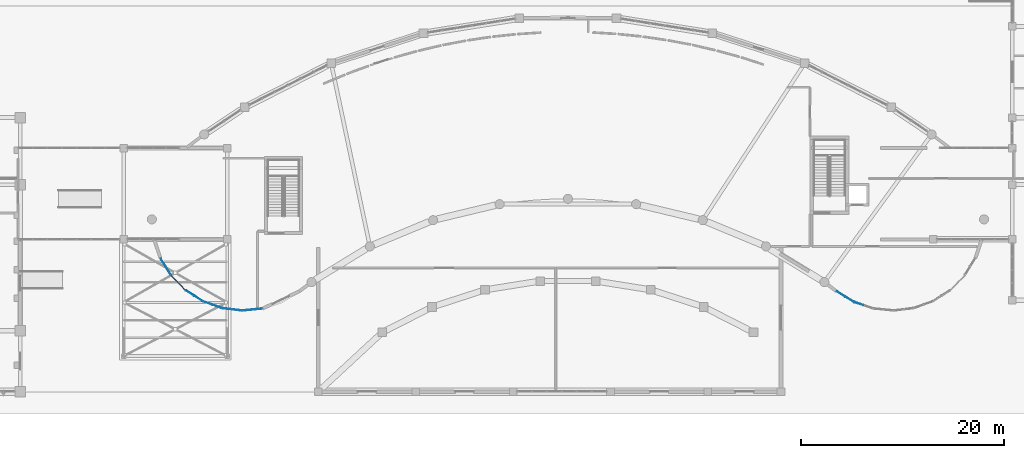
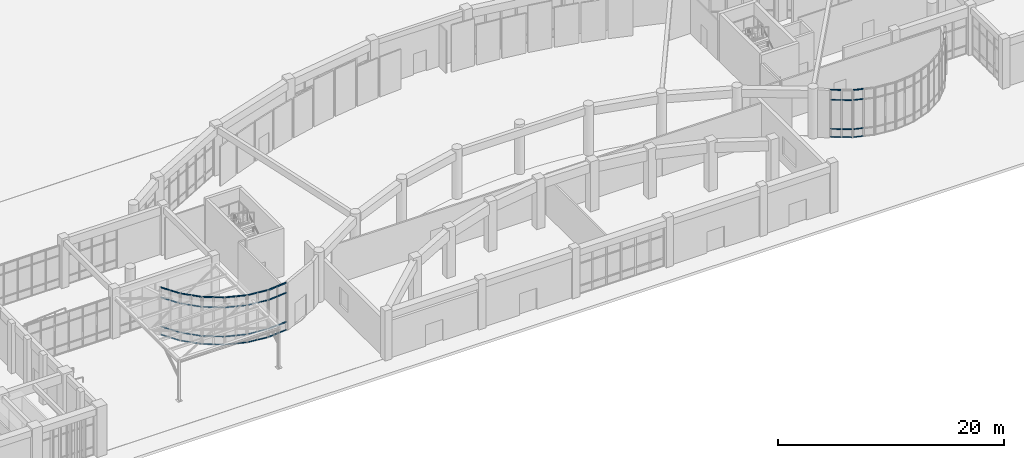
# One storey, part 34 of 70: 59 members, 8 elements without a shape of their own.
"""IFC4 building model written with IfcOpenShell, lengths in metres."""

from ifc_helpers import new_model, si_unit, direction, frame, origin, origin_2d, place, context, subcontext, project, spatial, rectangle, extrude, material, layer, layer_set, material_profile, profile_set, type_object, element, aggregate, save


model = new_model("IFC4")

# Units and contexts
model_context = context("Model", 3, precision=1e-05, world=origin(), true_north=direction((0.0, 1.0)))
body_context = subcontext(model_context, "Body", "Model", "MODEL_VIEW")
ifc_project = project(units=[si_unit("LENGTHUNIT", "METRE"), si_unit("AREAUNIT", "SQUARE_METRE"), si_unit("VOLUMEUNIT", "CUBIC_METRE"), si_unit("PLANEANGLEUNIT", "RADIAN"), si_unit("MASSUNIT", "GRAM", prefix="KILO")], contexts=[model_context])

# Site, building, storey
site_placement = place(None, origin())
site = spatial("IfcSite", under=ifc_project, at=site_placement, CompositionType="ELEMENT")
building_placement = place(site_placement, origin())
building = spatial("IfcBuilding", under=site, at=building_placement, Name="Miralva Faculty of Natural Sciences", CompositionType="ELEMENT")
storey_placement = place(building_placement, origin())
storey = spatial("IfcBuildingStorey", under=building, at=storey_placement, Name="L00", CompositionType="ELEMENT", Elevation=0.0)

# Curtain wall, members
ifc_material_1 = material(Name="Laminated solar-control glass", Category="glass")
ifc_layer = layer(ifc_material_1, 0.179931640625, Name="CW-RND-L00")
ifc_layer_set = layer_set([ifc_layer], Name="Laminated solar-control glass")
curtain_wall_type = type_object("IfcCurtainWallType", Name="CW-RND-L00", PredefinedType="USERDEFINED", material=ifc_layer_set)
curtain_wall_1_placement = place(storey_placement, origin())
curtain_wall_1 = element("IfcCurtainWall", 1, at=curtain_wall_1_placement, inside=storey, type_object=curtain_wall_type, Name="Curtain wall CW-04 L00-15", ObjectType="UNITISED CURTAIN WALL", PredefinedType="USERDEFINED")
ifc_material_2 = material(Name="Anodised aluminium", Category="aluminium")
ifc_material_profile = material_profile(ifc_material_2, rectangle(XDim=0.06005859375, YDim=0.1201171875, at=origin_2d()), Name="TRANSOM 60x120")
ifc_profile_set = profile_set([ifc_material_profile], Name="Anodised aluminium")
member_type = type_object("IfcMemberType", Name="CW-T02", PredefinedType="USERDEFINED", material=ifc_profile_set)
member_1_placement = place(storey_placement, frame((57.96044921875, 10.983642578125, 0.030029296875), z_axis=(0.994766112877, 0.102178180995, 0.0), x_axis=(-0.102178180995, 0.994766112877, 0.0)))
member_1 = element("IfcMember", 2, at=member_1_placement, type_object=member_type, Name="CW-04 transom 1.1", ObjectType="TRANSOM", PredefinedType="USERDEFINED", context=body_context, shape_type="SweptSolid", body=[
    extrude(rectangle(XDim=0.06005859375, YDim=0.1201171875, at=origin_2d()), origin(), (0.0, 0.0, 1.0), 0.912841796875),
])
member_2_placement = place(storey_placement, frame((57.96044921875, 10.983642578125, 0.89990234375), z_axis=(0.994766112877, 0.102178180995, 0.0), x_axis=(-0.102178180995, 0.994766112877, 0.0)))
member_2 = element("IfcMember", 3, at=member_2_placement, type_object=member_type, Name="CW-04 transom 1.2", ObjectType="TRANSOM", PredefinedType="USERDEFINED", context=body_context, shape_type="SweptSolid", body=[
    extrude(rectangle(XDim=0.06005859375, YDim=0.1201171875, at=origin_2d()), origin(), (0.0, 0.0, 1.0), 0.912841796875),
])
member_3_placement = place(storey_placement, frame((57.96044921875, 10.983642578125, 4.050048828125), z_axis=(0.994766112877, 0.102178180995, 0.0), x_axis=(-0.102178180995, 0.994766112877, 0.0)))
member_3 = element("IfcMember", 4, at=member_3_placement, type_object=member_type, Name="CW-04 transom 1.3", ObjectType="TRANSOM", PredefinedType="USERDEFINED", context=body_context, shape_type="SweptSolid", body=[
    extrude(rectangle(XDim=0.06005859375, YDim=0.1201171875, at=origin_2d()), origin(), (0.0, 0.0, 1.0), 0.912841796875),
])
member_4_placement = place(storey_placement, frame((57.96044921875, 10.983642578125, 5.1201171875), z_axis=(0.994766112877, 0.102178180995, 0.0), x_axis=(-0.102178180995, 0.994766112877, 0.0)))
member_4 = element("IfcMember", 5, at=member_4_placement, type_object=member_type, Name="CW-04 transom 1.4", ObjectType="TRANSOM", PredefinedType="USERDEFINED", context=body_context, shape_type="SweptSolid", body=[
    extrude(rectangle(XDim=0.06005859375, YDim=0.1201171875, at=origin_2d()), origin(), (0.0, 0.0, 1.0), 0.912841796875),
])
member_5_placement = place(storey_placement, frame((58.93310546875, 11.08349609375, 0.030029296875), z_axis=(0.994793266196, 0.101913480619, 0.0), x_axis=(-0.101913480619, 0.994793266196, 0.0)))
member_5 = element("IfcMember", 6, at=member_5_placement, type_object=member_type, Name="CW-04 transom 2.1", ObjectType="TRANSOM", PredefinedType="USERDEFINED", context=body_context, shape_type="SweptSolid", body=[
    extrude(rectangle(XDim=0.06005859375, YDim=0.1201171875, at=origin_2d()), origin(), (0.0, 0.0, 1.0), 0.91259765625),
])
member_6_placement = place(storey_placement, frame((58.93310546875, 11.08349609375, 0.89990234375), z_axis=(0.994793266196, 0.101913480619, 0.0), x_axis=(-0.101913480619, 0.994793266196, 0.0)))
member_6 = element("IfcMember", 7, at=member_6_placement, type_object=member_type, Name="CW-04 transom 2.2", ObjectType="TRANSOM", PredefinedType="USERDEFINED", context=body_context, shape_type="SweptSolid", body=[
    extrude(rectangle(XDim=0.06005859375, YDim=0.1201171875, at=origin_2d()), origin(), (0.0, 0.0, 1.0), 0.91259765625),
])
member_7_placement = place(storey_placement, frame((58.93310546875, 11.08349609375, 4.050048828125), z_axis=(0.994793266196, 0.101913480619, 0.0), x_axis=(-0.101913480619, 0.994793266196, 0.0)))
member_7 = element("IfcMember", 8, at=member_7_placement, type_object=member_type, Name="CW-04 transom 2.3", ObjectType="TRANSOM", PredefinedType="USERDEFINED", context=body_context, shape_type="SweptSolid", body=[
    extrude(rectangle(XDim=0.06005859375, YDim=0.1201171875, at=origin_2d()), origin(), (0.0, 0.0, 1.0), 0.91259765625),
])
member_8_placement = place(storey_placement, frame((58.93310546875, 11.08349609375, 5.1201171875), z_axis=(0.994793266196, 0.101913480619, 0.0), x_axis=(-0.101913480619, 0.994793266196, 0.0)))
member_8 = element("IfcMember", 9, at=member_8_placement, type_object=member_type, Name="CW-04 transom 2.4", ObjectType="TRANSOM", PredefinedType="USERDEFINED", context=body_context, shape_type="SweptSolid", body=[
    extrude(rectangle(XDim=0.06005859375, YDim=0.1201171875, at=origin_2d()), origin(), (0.0, 0.0, 1.0), 0.91259765625),
])
aggregate(curtain_wall_1, [member_1, member_2, member_3, member_4, member_5, member_6, member_7, member_8])

curtain_wall_2_placement = place(storey_placement, origin())
curtain_wall_2 = element("IfcCurtainWall", 10, at=curtain_wall_2_placement, inside=storey, type_object=curtain_wall_type, Name="Curtain wall CW-04 L00-16", ObjectType="UNITISED CURTAIN WALL", PredefinedType="USERDEFINED")
member_9_placement = place(storey_placement, frame((55.9599609375, 11.214599609375, 0.030029296875), z_axis=(0.99256727955, -0.121697146913, 0.0), x_axis=(0.121697146913, 0.99256727955, 0.0)))
member_9 = element("IfcMember", 11, at=member_9_placement, type_object=member_type, Name="CW-04 transom 1.1", ObjectType="TRANSOM", PredefinedType="USERDEFINED", context=body_context, shape_type="SweptSolid", body=[
    extrude(rectangle(XDim=0.06005859375, YDim=0.1201171875, at=origin_2d()), origin(), (0.0, 0.0, 1.0), 0.912841796875),
])
member_10_placement = place(storey_placement, frame((55.9599609375, 11.214599609375, 0.89990234375), z_axis=(0.99256727955, -0.121697146913, 0.0), x_axis=(0.121697146913, 0.99256727955, 0.0)))
member_10 = element("IfcMember", 12, at=member_10_placement, type_object=member_type, Name="CW-04 transom 1.2", ObjectType="TRANSOM", PredefinedType="USERDEFINED", context=body_context, shape_type="SweptSolid", body=[
    extrude(rectangle(XDim=0.06005859375, YDim=0.1201171875, at=origin_2d()), origin(), (0.0, 0.0, 1.0), 0.912841796875),
])
member_11_placement = place(storey_placement, frame((55.9599609375, 11.214599609375, 4.050048828125), z_axis=(0.99256727955, -0.121697146913, 0.0), x_axis=(0.121697146913, 0.99256727955, 0.0)))
member_11 = element("IfcMember", 13, at=member_11_placement, type_object=member_type, Name="CW-04 transom 1.3", ObjectType="TRANSOM", PredefinedType="USERDEFINED", context=body_context, shape_type="SweptSolid", body=[
    extrude(rectangle(XDim=0.06005859375, YDim=0.1201171875, at=origin_2d()), origin(), (0.0, 0.0, 1.0), 0.912841796875),
])
member_12_placement = place(storey_placement, frame((55.9599609375, 11.214599609375, 5.1201171875), z_axis=(0.99256727955, -0.121697146913, 0.0), x_axis=(0.121697146913, 0.99256727955, 0.0)))
member_12 = element("IfcMember", 14, at=member_12_placement, type_object=member_type, Name="CW-04 transom 1.4", ObjectType="TRANSOM", PredefinedType="USERDEFINED", context=body_context, shape_type="SweptSolid", body=[
    extrude(rectangle(XDim=0.06005859375, YDim=0.1201171875, at=origin_2d()), origin(), (0.0, 0.0, 1.0), 0.912841796875),
])
member_13_placement = place(storey_placement, frame((56.930419921875, 11.095458984375, 0.030029296875), z_axis=(0.992563316744, -0.121729463374, 0.0), x_axis=(0.121729463374, 0.992563316744, 0.0)))
member_13 = element("IfcMember", 15, at=member_13_placement, type_object=member_type, Name="CW-04 transom 2.1", ObjectType="TRANSOM", PredefinedType="USERDEFINED", context=body_context, shape_type="SweptSolid", body=[
    extrude(rectangle(XDim=0.06005859375, YDim=0.1201171875, at=origin_2d()), origin(), (0.0, 0.0, 1.0), 0.91259765625),
])
member_14_placement = place(storey_placement, frame((56.930419921875, 11.095458984375, 0.89990234375), z_axis=(0.992563316744, -0.121729463374, 0.0), x_axis=(0.121729463374, 0.992563316744, 0.0)))
member_14 = element("IfcMember", 16, at=member_14_placement, type_object=member_type, Name="CW-04 transom 2.2", ObjectType="TRANSOM", PredefinedType="USERDEFINED", context=body_context, shape_type="SweptSolid", body=[
    extrude(rectangle(XDim=0.06005859375, YDim=0.1201171875, at=origin_2d()), origin(), (0.0, 0.0, 1.0), 0.91259765625),
])
member_15_placement = place(storey_placement, frame((56.930419921875, 11.095458984375, 4.050048828125), z_axis=(0.992563316744, -0.121729463374, 0.0), x_axis=(0.121729463374, 0.992563316744, 0.0)))
member_15 = element("IfcMember", 17, at=member_15_placement, type_object=member_type, Name="CW-04 transom 2.3", ObjectType="TRANSOM", PredefinedType="USERDEFINED", context=body_context, shape_type="SweptSolid", body=[
    extrude(rectangle(XDim=0.06005859375, YDim=0.1201171875, at=origin_2d()), origin(), (0.0, 0.0, 1.0), 0.91259765625),
])
member_16_placement = place(storey_placement, frame((56.930419921875, 11.095458984375, 5.1201171875), z_axis=(0.992563316744, -0.121729463374, 0.0), x_axis=(0.121729463374, 0.992563316744, 0.0)))
member_16 = element("IfcMember", 18, at=member_16_placement, type_object=member_type, Name="CW-04 transom 2.4", ObjectType="TRANSOM", PredefinedType="USERDEFINED", context=body_context, shape_type="SweptSolid", body=[
    extrude(rectangle(XDim=0.06005859375, YDim=0.1201171875, at=origin_2d()), origin(), (0.0, 0.0, 1.0), 0.91259765625),
])
aggregate(curtain_wall_2, [member_9, member_10, member_11, member_12, member_13, member_14, member_15, member_16])

curtain_wall_3_placement = place(storey_placement, origin())
curtain_wall_3 = element("IfcCurtainWall", 19, at=curtain_wall_3_placement, inside=storey, type_object=curtain_wall_type, Name="Curtain wall CW-04 L00-17", ObjectType="UNITISED CURTAIN WALL", PredefinedType="USERDEFINED")
member_17_placement = place(storey_placement, frame((54.06103515625, 11.885009765625, 0.030029296875), z_axis=(0.94061086064, -0.339486684344, 0.0), x_axis=(0.339486684344, 0.94061086064, 0.0)))
member_17 = element("IfcMember", 20, at=member_17_placement, type_object=member_type, Name="CW-04 transom 1.1", ObjectType="TRANSOM", PredefinedType="USERDEFINED", context=body_context, shape_type="SweptSolid", body=[
    extrude(rectangle(XDim=0.06005859375, YDim=0.1201171875, at=origin_2d()), origin(), (0.0, 0.0, 1.0), 0.91259765625),
])
member_18_placement = place(storey_placement, frame((54.06103515625, 11.885009765625, 0.89990234375), z_axis=(0.94061086064, -0.339486684344, 0.0), x_axis=(0.339486684344, 0.94061086064, 0.0)))
member_18 = element("IfcMember", 21, at=member_18_placement, type_object=member_type, Name="CW-04 transom 1.2", ObjectType="TRANSOM", PredefinedType="USERDEFINED", context=body_context, shape_type="SweptSolid", body=[
    extrude(rectangle(XDim=0.06005859375, YDim=0.1201171875, at=origin_2d()), origin(), (0.0, 0.0, 1.0), 0.91259765625),
])
member_19_placement = place(storey_placement, frame((54.06103515625, 11.885009765625, 4.050048828125), z_axis=(0.94061086064, -0.339486684344, 0.0), x_axis=(0.339486684344, 0.94061086064, 0.0)))
member_19 = element("IfcMember", 22, at=member_19_placement, type_object=member_type, Name="CW-04 transom 1.3", ObjectType="TRANSOM", PredefinedType="USERDEFINED", context=body_context, shape_type="SweptSolid", body=[
    extrude(rectangle(XDim=0.06005859375, YDim=0.1201171875, at=origin_2d()), origin(), (0.0, 0.0, 1.0), 0.91259765625),
])
member_20_placement = place(storey_placement, frame((54.06103515625, 11.885009765625, 5.1201171875), z_axis=(0.94061086064, -0.339486684344, 0.0), x_axis=(0.339486684344, 0.94061086064, 0.0)))
member_20 = element("IfcMember", 23, at=member_20_placement, type_object=member_type, Name="CW-04 transom 1.4", ObjectType="TRANSOM", PredefinedType="USERDEFINED", context=body_context, shape_type="SweptSolid", body=[
    extrude(rectangle(XDim=0.06005859375, YDim=0.1201171875, at=origin_2d()), origin(), (0.0, 0.0, 1.0), 0.91259765625),
])
member_21_placement = place(storey_placement, frame((54.980712890625, 11.552978515625, 0.030029296875), z_axis=(0.940525411881, -0.339723342744, 0.0), x_axis=(0.339723342744, 0.940525411881, 0.0)))
member_21 = element("IfcMember", 24, at=member_21_placement, type_object=member_type, Name="CW-04 transom 2.1", ObjectType="TRANSOM", PredefinedType="USERDEFINED", context=body_context, shape_type="SweptSolid", body=[
    extrude(rectangle(XDim=0.06005859375, YDim=0.1201171875, at=origin_2d()), origin(), (0.0, 0.0, 1.0), 0.91259765625),
])
member_22_placement = place(storey_placement, frame((54.980712890625, 11.552978515625, 0.89990234375), z_axis=(0.940525411881, -0.339723342744, 0.0), x_axis=(0.339723342744, 0.940525411881, 0.0)))
member_22 = element("IfcMember", 25, at=member_22_placement, type_object=member_type, Name="CW-04 transom 2.2", ObjectType="TRANSOM", PredefinedType="USERDEFINED", context=body_context, shape_type="SweptSolid", body=[
    extrude(rectangle(XDim=0.06005859375, YDim=0.1201171875, at=origin_2d()), origin(), (0.0, 0.0, 1.0), 0.91259765625),
])
member_23_placement = place(storey_placement, frame((54.980712890625, 11.552978515625, 4.050048828125), z_axis=(0.940525411881, -0.339723342744, 0.0), x_axis=(0.339723342744, 0.940525411881, 0.0)))
member_23 = element("IfcMember", 26, at=member_23_placement, type_object=member_type, Name="CW-04 transom 2.3", ObjectType="TRANSOM", PredefinedType="USERDEFINED", context=body_context, shape_type="SweptSolid", body=[
    extrude(rectangle(XDim=0.06005859375, YDim=0.1201171875, at=origin_2d()), origin(), (0.0, 0.0, 1.0), 0.91259765625),
])
member_24_placement = place(storey_placement, frame((54.980712890625, 11.552978515625, 5.1201171875), z_axis=(0.940525411881, -0.339723342744, 0.0), x_axis=(0.339723342744, 0.940525411881, 0.0)))
member_24 = element("IfcMember", 27, at=member_24_placement, type_object=member_type, Name="CW-04 transom 2.4", ObjectType="TRANSOM", PredefinedType="USERDEFINED", context=body_context, shape_type="SweptSolid", body=[
    extrude(rectangle(XDim=0.06005859375, YDim=0.1201171875, at=origin_2d()), origin(), (0.0, 0.0, 1.0), 0.91259765625),
])
aggregate(curtain_wall_3, [member_17, member_18, member_19, member_20, member_21, member_22, member_23, member_24])

curtain_wall_4_placement = place(storey_placement, origin())
curtain_wall_4 = element("IfcCurtainWall", 28, at=curtain_wall_4_placement, inside=storey, type_object=curtain_wall_type, Name="Curtain wall CW-04 L00-18", ObjectType="UNITISED CURTAIN WALL", PredefinedType="USERDEFINED")
member_25_placement = place(storey_placement, frame((52.35888671875, 12.961181640625, 0.030029296875), z_axis=(0.841473826714, -0.540297879836, 0.0), x_axis=(0.540297879836, 0.841473826714, 0.0)))
member_25 = element("IfcMember", 29, at=member_25_placement, type_object=member_type, Name="CW-04 transom 1.1", ObjectType="TRANSOM", PredefinedType="USERDEFINED", context=body_context, shape_type="SweptSolid", body=[
    extrude(rectangle(XDim=0.06005859375, YDim=0.1201171875, at=origin_2d()), origin(), (0.0, 0.0, 1.0), 0.912841796875),
])
member_26_placement = place(storey_placement, frame((52.35888671875, 12.961181640625, 0.89990234375), z_axis=(0.841473826714, -0.540297879836, 0.0), x_axis=(0.540297879836, 0.841473826714, 0.0)))
member_26 = element("IfcMember", 30, at=member_26_placement, type_object=member_type, Name="CW-04 transom 1.2", ObjectType="TRANSOM", PredefinedType="USERDEFINED", context=body_context, shape_type="SweptSolid", body=[
    extrude(rectangle(XDim=0.06005859375, YDim=0.1201171875, at=origin_2d()), origin(), (0.0, 0.0, 1.0), 0.912841796875),
])
member_27_placement = place(storey_placement, frame((52.35888671875, 12.961181640625, 4.050048828125), z_axis=(0.841473826714, -0.540297879836, 0.0), x_axis=(0.540297879836, 0.841473826714, 0.0)))
member_27 = element("IfcMember", 31, at=member_27_placement, type_object=member_type, Name="CW-04 transom 1.3", ObjectType="TRANSOM", PredefinedType="USERDEFINED", context=body_context, shape_type="SweptSolid", body=[
    extrude(rectangle(XDim=0.06005859375, YDim=0.1201171875, at=origin_2d()), origin(), (0.0, 0.0, 1.0), 0.912841796875),
])
member_28_placement = place(storey_placement, frame((52.35888671875, 12.961181640625, 5.1201171875), z_axis=(0.841473826714, -0.540297879836, 0.0), x_axis=(0.540297879836, 0.841473826714, 0.0)))
member_28 = element("IfcMember", 32, at=member_28_placement, type_object=member_type, Name="CW-04 transom 1.4", ObjectType="TRANSOM", PredefinedType="USERDEFINED", context=body_context, shape_type="SweptSolid", body=[
    extrude(rectangle(XDim=0.06005859375, YDim=0.1201171875, at=origin_2d()), origin(), (0.0, 0.0, 1.0), 0.912841796875),
])
member_29_placement = place(storey_placement, frame((53.181640625, 12.432861328125, 0.030029296875), z_axis=(0.841395718797, -0.540419507781, 0.0), x_axis=(0.540419507781, 0.841395718797, 0.0)))
member_29 = element("IfcMember", 33, at=member_29_placement, type_object=member_type, Name="CW-04 transom 2.1", ObjectType="TRANSOM", PredefinedType="USERDEFINED", context=body_context, shape_type="SweptSolid", body=[
    extrude(rectangle(XDim=0.06005859375, YDim=0.1201171875, at=origin_2d()), origin(), (0.0, 0.0, 1.0), 0.91259765625),
])
member_30_placement = place(storey_placement, frame((53.181640625, 12.432861328125, 0.89990234375), z_axis=(0.841395718797, -0.540419507781, 0.0), x_axis=(0.540419507781, 0.841395718797, 0.0)))
member_30 = element("IfcMember", 34, at=member_30_placement, type_object=member_type, Name="CW-04 transom 2.2", ObjectType="TRANSOM", PredefinedType="USERDEFINED", context=body_context, shape_type="SweptSolid", body=[
    extrude(rectangle(XDim=0.06005859375, YDim=0.1201171875, at=origin_2d()), origin(), (0.0, 0.0, 1.0), 0.91259765625),
])
member_31_placement = place(storey_placement, frame((53.181640625, 12.432861328125, 4.050048828125), z_axis=(0.841395718797, -0.540419507781, 0.0), x_axis=(0.540419507781, 0.841395718797, 0.0)))
member_31 = element("IfcMember", 35, at=member_31_placement, type_object=member_type, Name="CW-04 transom 2.3", ObjectType="TRANSOM", PredefinedType="USERDEFINED", context=body_context, shape_type="SweptSolid", body=[
    extrude(rectangle(XDim=0.06005859375, YDim=0.1201171875, at=origin_2d()), origin(), (0.0, 0.0, 1.0), 0.91259765625),
])
member_32_placement = place(storey_placement, frame((53.181640625, 12.432861328125, 5.1201171875), z_axis=(0.841395718797, -0.540419507781, 0.0), x_axis=(0.540419507781, 0.841395718797, 0.0)))
member_32 = element("IfcMember", 36, at=member_32_placement, type_object=member_type, Name="CW-04 transom 2.4", ObjectType="TRANSOM", PredefinedType="USERDEFINED", context=body_context, shape_type="SweptSolid", body=[
    extrude(rectangle(XDim=0.06005859375, YDim=0.1201171875, at=origin_2d()), origin(), (0.0, 0.0, 1.0), 0.91259765625),
])
aggregate(curtain_wall_4, [member_25, member_26, member_27, member_28, member_29, member_30, member_31, member_32])

curtain_wall_5_placement = place(storey_placement, origin())
curtain_wall_5 = element("IfcCurtainWall", 37, at=curtain_wall_5_placement, inside=storey, type_object=curtain_wall_type, Name="Curtain wall CW-04 L00-19", ObjectType="UNITISED CURTAIN WALL", PredefinedType="USERDEFINED")
member_33_placement = place(storey_placement, frame((50.93896484375, 14.38916015625, 0.030029296875), z_axis=(0.699983155997, -0.71415935289, 0.0), x_axis=(0.71415935289, 0.699983155997, 0.0)))
member_33 = element("IfcMember", 38, at=member_33_placement, type_object=member_type, Name="CW-04 transom 1.1", ObjectType="TRANSOM", PredefinedType="USERDEFINED", context=body_context, shape_type="SweptSolid", body=[
    extrude(rectangle(XDim=0.06005859375, YDim=0.1201171875, at=origin_2d()), origin(), (0.0, 0.0, 1.0), 0.912841796875),
])
member_34_placement = place(storey_placement, frame((50.93896484375, 14.38916015625, 0.89990234375), z_axis=(0.699983155997, -0.71415935289, 0.0), x_axis=(0.71415935289, 0.699983155997, 0.0)))
member_34 = element("IfcMember", 39, at=member_34_placement, type_object=member_type, Name="CW-04 transom 1.2", ObjectType="TRANSOM", PredefinedType="USERDEFINED", context=body_context, shape_type="SweptSolid", body=[
    extrude(rectangle(XDim=0.06005859375, YDim=0.1201171875, at=origin_2d()), origin(), (0.0, 0.0, 1.0), 0.912841796875),
])
member_35_placement = place(storey_placement, frame((50.93896484375, 14.38916015625, 4.050048828125), z_axis=(0.699983155997, -0.71415935289, 0.0), x_axis=(0.71415935289, 0.699983155997, 0.0)))
member_35 = element("IfcMember", 40, at=member_35_placement, type_object=member_type, Name="CW-04 transom 1.3", ObjectType="TRANSOM", PredefinedType="USERDEFINED", context=body_context, shape_type="SweptSolid", body=[
    extrude(rectangle(XDim=0.06005859375, YDim=0.1201171875, at=origin_2d()), origin(), (0.0, 0.0, 1.0), 0.912841796875),
])
member_36_placement = place(storey_placement, frame((50.93896484375, 14.38916015625, 5.1201171875), z_axis=(0.699983155997, -0.71415935289, 0.0), x_axis=(0.71415935289, 0.699983155997, 0.0)))
member_36 = element("IfcMember", 41, at=member_36_placement, type_object=member_type, Name="CW-04 transom 1.4", ObjectType="TRANSOM", PredefinedType="USERDEFINED", context=body_context, shape_type="SweptSolid", body=[
    extrude(rectangle(XDim=0.06005859375, YDim=0.1201171875, at=origin_2d()), origin(), (0.0, 0.0, 1.0), 0.912841796875),
])
member_37_placement = place(storey_placement, frame((51.623291015625, 13.69091796875, 0.030029296875), z_axis=(0.700116880098, -0.714028258686, 0.0), x_axis=(0.714028258686, 0.700116880098, 0.0)))
member_37 = element("IfcMember", 42, at=member_37_placement, type_object=member_type, Name="CW-04 transom 2.1", ObjectType="TRANSOM", PredefinedType="USERDEFINED", context=body_context, shape_type="SweptSolid", body=[
    extrude(rectangle(XDim=0.06005859375, YDim=0.1201171875, at=origin_2d()), origin(), (0.0, 0.0, 1.0), 0.91259765625),
])
member_38_placement = place(storey_placement, frame((51.623291015625, 13.69091796875, 0.89990234375), z_axis=(0.700116880098, -0.714028258686, 0.0), x_axis=(0.714028258686, 0.700116880098, 0.0)))
member_38 = element("IfcMember", 43, at=member_38_placement, type_object=member_type, Name="CW-04 transom 2.2", ObjectType="TRANSOM", PredefinedType="USERDEFINED", context=body_context, shape_type="SweptSolid", body=[
    extrude(rectangle(XDim=0.06005859375, YDim=0.1201171875, at=origin_2d()), origin(), (0.0, 0.0, 1.0), 0.91259765625),
])
member_39_placement = place(storey_placement, frame((51.623291015625, 13.69091796875, 4.050048828125), z_axis=(0.700116880098, -0.714028258686, 0.0), x_axis=(0.714028258686, 0.700116880098, 0.0)))
member_39 = element("IfcMember", 44, at=member_39_placement, type_object=member_type, Name="CW-04 transom 2.3", ObjectType="TRANSOM", PredefinedType="USERDEFINED", context=body_context, shape_type="SweptSolid", body=[
    extrude(rectangle(XDim=0.06005859375, YDim=0.1201171875, at=origin_2d()), origin(), (0.0, 0.0, 1.0), 0.91259765625),
])
member_40_placement = place(storey_placement, frame((51.623291015625, 13.69091796875, 5.1201171875), z_axis=(0.700116880098, -0.714028258686, 0.0), x_axis=(0.714028258686, 0.700116880098, 0.0)))
member_40 = element("IfcMember", 45, at=member_40_placement, type_object=member_type, Name="CW-04 transom 2.4", ObjectType="TRANSOM", PredefinedType="USERDEFINED", context=body_context, shape_type="SweptSolid", body=[
    extrude(rectangle(XDim=0.06005859375, YDim=0.1201171875, at=origin_2d()), origin(), (0.0, 0.0, 1.0), 0.91259765625),
])
aggregate(curtain_wall_5, [member_33, member_34, member_35, member_36, member_37, member_38, member_39, member_40])

curtain_wall_6_placement = place(storey_placement, origin())
curtain_wall_6 = element("IfcCurtainWall", 46, at=curtain_wall_6_placement, inside=storey, type_object=curtain_wall_type, Name="Curtain wall CW-04 L00-20", ObjectType="UNITISED CURTAIN WALL", PredefinedType="USERDEFINED")
member_41_placement = place(storey_placement, frame((49.872314453125, 16.097412109375, 0.030029296875), z_axis=(0.523395914124, -0.852089617986, 0.0), x_axis=(0.852089617986, 0.523395914124, 0.0)))
member_41 = element("IfcMember", 47, at=member_41_placement, type_object=member_type, Name="CW-04 transom 1.1", ObjectType="TRANSOM", PredefinedType="USERDEFINED", context=body_context, shape_type="SweptSolid", body=[
    extrude(rectangle(XDim=0.06005859375, YDim=0.1201171875, at=origin_2d()), origin(), (0.0, 0.0, 1.0), 0.912841796875),
])
member_42_placement = place(storey_placement, frame((49.872314453125, 16.097412109375, 0.89990234375), z_axis=(0.523395914124, -0.852089617986, 0.0), x_axis=(0.852089617986, 0.523395914124, 0.0)))
member_42 = element("IfcMember", 48, at=member_42_placement, type_object=member_type, Name="CW-04 transom 1.2", ObjectType="TRANSOM", PredefinedType="USERDEFINED", context=body_context, shape_type="SweptSolid", body=[
    extrude(rectangle(XDim=0.06005859375, YDim=0.1201171875, at=origin_2d()), origin(), (0.0, 0.0, 1.0), 0.912841796875),
])
member_43_placement = place(storey_placement, frame((49.872314453125, 16.097412109375, 4.050048828125), z_axis=(0.523395914124, -0.852089617986, 0.0), x_axis=(0.852089617986, 0.523395914124, 0.0)))
member_43 = element("IfcMember", 49, at=member_43_placement, type_object=member_type, Name="CW-04 transom 1.3", ObjectType="TRANSOM", PredefinedType="USERDEFINED", context=body_context, shape_type="SweptSolid", body=[
    extrude(rectangle(XDim=0.06005859375, YDim=0.1201171875, at=origin_2d()), origin(), (0.0, 0.0, 1.0), 0.912841796875),
])
member_44_placement = place(storey_placement, frame((49.872314453125, 16.097412109375, 5.1201171875), z_axis=(0.523395914124, -0.852089617986, 0.0), x_axis=(0.852089617986, 0.523395914124, 0.0)))
member_44 = element("IfcMember", 50, at=member_44_placement, type_object=member_type, Name="CW-04 transom 1.4", ObjectType="TRANSOM", PredefinedType="USERDEFINED", context=body_context, shape_type="SweptSolid", body=[
    extrude(rectangle(XDim=0.06005859375, YDim=0.1201171875, at=origin_2d()), origin(), (0.0, 0.0, 1.0), 0.912841796875),
])
member_45_placement = place(storey_placement, frame((50.38427734375, 15.264404296875, 0.030029296875), z_axis=(0.523395914124, -0.852089617986, 0.0), x_axis=(0.852089617986, 0.523395914124, 0.0)))
member_45 = element("IfcMember", 51, at=member_45_placement, type_object=member_type, Name="CW-04 transom 2.1", ObjectType="TRANSOM", PredefinedType="USERDEFINED", context=body_context, shape_type="SweptSolid", body=[
    extrude(rectangle(XDim=0.06005859375, YDim=0.1201171875, at=origin_2d()), origin(), (0.0, 0.0, 1.0), 0.912841796875),
])
member_46_placement = place(storey_placement, frame((50.38427734375, 15.264404296875, 0.89990234375), z_axis=(0.523395914124, -0.852089617986, 0.0), x_axis=(0.852089617986, 0.523395914124, 0.0)))
member_46 = element("IfcMember", 52, at=member_46_placement, type_object=member_type, Name="CW-04 transom 2.2", ObjectType="TRANSOM", PredefinedType="USERDEFINED", context=body_context, shape_type="SweptSolid", body=[
    extrude(rectangle(XDim=0.06005859375, YDim=0.1201171875, at=origin_2d()), origin(), (0.0, 0.0, 1.0), 0.912841796875),
])
member_47_placement = place(storey_placement, frame((50.38427734375, 15.264404296875, 4.050048828125), z_axis=(0.523395914124, -0.852089617986, 0.0), x_axis=(0.852089617986, 0.523395914124, 0.0)))
member_47 = element("IfcMember", 53, at=member_47_placement, type_object=member_type, Name="CW-04 transom 2.3", ObjectType="TRANSOM", PredefinedType="USERDEFINED", context=body_context, shape_type="SweptSolid", body=[
    extrude(rectangle(XDim=0.06005859375, YDim=0.1201171875, at=origin_2d()), origin(), (0.0, 0.0, 1.0), 0.912841796875),
])
member_48_placement = place(storey_placement, frame((50.38427734375, 15.264404296875, 5.1201171875), z_axis=(0.523395914124, -0.852089617986, 0.0), x_axis=(0.852089617986, 0.523395914124, 0.0)))
member_48 = element("IfcMember", 54, at=member_48_placement, type_object=member_type, Name="CW-04 transom 2.4", ObjectType="TRANSOM", PredefinedType="USERDEFINED", context=body_context, shape_type="SweptSolid", body=[
    extrude(rectangle(XDim=0.06005859375, YDim=0.1201171875, at=origin_2d()), origin(), (0.0, 0.0, 1.0), 0.912841796875),
])
aggregate(curtain_wall_6, [member_41, member_42, member_43, member_44, member_45, member_46, member_47, member_48])

curtain_wall_7_placement = place(storey_placement, origin())
curtain_wall_7 = element("IfcCurtainWall", 55, at=curtain_wall_7_placement, inside=storey, type_object=curtain_wall_type, Name="Curtain wall CW-04 L00-27", ObjectType="UNITISED CURTAIN WALL", PredefinedType="USERDEFINED")
member_49_placement = place(storey_placement, frame((118.251953125, 11.808349609375, 0.030029296875), z_axis=(0.947174722358, -0.32071801528, 0.0), x_axis=(0.32071801528, 0.947174722358, 0.0)))
member_49 = element("IfcMember", 56, at=member_49_placement, type_object=member_type, Name="CW-04 transom 1.1", ObjectType="TRANSOM", PredefinedType="USERDEFINED", context=body_context, shape_type="SweptSolid", body=[
    extrude(rectangle(XDim=0.06005859375, YDim=0.1201171875, at=origin_2d()), origin(), (0.0, 0.0, 1.0), 0.91259765625),
])
member_50_placement = place(storey_placement, frame((118.251953125, 11.808349609375, 0.89990234375), z_axis=(0.947174722358, -0.32071801528, 0.0), x_axis=(0.32071801528, 0.947174722358, 0.0)))
member_50 = element("IfcMember", 57, at=member_50_placement, type_object=member_type, Name="CW-04 transom 1.2", ObjectType="TRANSOM", PredefinedType="USERDEFINED", context=body_context, shape_type="SweptSolid", body=[
    extrude(rectangle(XDim=0.06005859375, YDim=0.1201171875, at=origin_2d()), origin(), (0.0, 0.0, 1.0), 0.91259765625),
])
member_51_placement = place(storey_placement, frame((118.251953125, 11.808349609375, 4.050048828125), z_axis=(0.947174722358, -0.32071801528, 0.0), x_axis=(0.32071801528, 0.947174722358, 0.0)))
member_51 = element("IfcMember", 58, at=member_51_placement, type_object=member_type, Name="CW-04 transom 1.3", ObjectType="TRANSOM", PredefinedType="USERDEFINED", context=body_context, shape_type="SweptSolid", body=[
    extrude(rectangle(XDim=0.06005859375, YDim=0.1201171875, at=origin_2d()), origin(), (0.0, 0.0, 1.0), 0.91259765625),
])
member_52_placement = place(storey_placement, frame((118.251953125, 11.808349609375, 5.1201171875), z_axis=(0.947174722358, -0.32071801528, 0.0), x_axis=(0.32071801528, 0.947174722358, 0.0)))
member_52 = element("IfcMember", 59, at=member_52_placement, type_object=member_type, Name="CW-04 transom 1.4", ObjectType="TRANSOM", PredefinedType="USERDEFINED", context=body_context, shape_type="SweptSolid", body=[
    extrude(rectangle(XDim=0.06005859375, YDim=0.1201171875, at=origin_2d()), origin(), (0.0, 0.0, 1.0), 0.91259765625),
])
aggregate(curtain_wall_7, [member_49, member_50, member_51, member_52])

curtain_wall_8_placement = place(storey_placement, origin())
curtain_wall_8 = element("IfcCurtainWall", 60, at=curtain_wall_8_placement, inside=storey, type_object=curtain_wall_type, Name="Curtain wall CW-04 L00-28", ObjectType="UNITISED CURTAIN WALL", PredefinedType="USERDEFINED")
member_53_placement = place(storey_placement, frame((116.5244140625, 12.85302734375, 0.030029296875), z_axis=(0.852079385705, -0.523412571933, 0.0), x_axis=(0.523412571933, 0.852079385705, 0.0)))
member_53 = element("IfcMember", 61, at=member_53_placement, type_object=member_type, Name="CW-04 transom 1.1", ObjectType="TRANSOM", PredefinedType="USERDEFINED", context=body_context, shape_type="SweptSolid", body=[
    extrude(rectangle(XDim=0.06005859375, YDim=0.1201171875, at=origin_2d()), origin(), (0.0, 0.0, 1.0), 0.9150390625),
])
member_54_placement = place(storey_placement, frame((116.5244140625, 12.85302734375, 0.89990234375), z_axis=(0.852079385705, -0.523412571933, 0.0), x_axis=(0.523412571933, 0.852079385705, 0.0)))
member_54 = element("IfcMember", 62, at=member_54_placement, type_object=member_type, Name="CW-04 transom 1.2", ObjectType="TRANSOM", PredefinedType="USERDEFINED", context=body_context, shape_type="SweptSolid", body=[
    extrude(rectangle(XDim=0.06005859375, YDim=0.1201171875, at=origin_2d()), origin(), (0.0, 0.0, 1.0), 0.9150390625),
])
member_55_placement = place(storey_placement, frame((116.5244140625, 12.85302734375, 4.050048828125), z_axis=(0.852079385705, -0.523412571933, 0.0), x_axis=(0.523412571933, 0.852079385705, 0.0)))
member_55 = element("IfcMember", 63, at=member_55_placement, type_object=member_type, Name="CW-04 transom 1.3", ObjectType="TRANSOM", PredefinedType="USERDEFINED", context=body_context, shape_type="SweptSolid", body=[
    extrude(rectangle(XDim=0.06005859375, YDim=0.1201171875, at=origin_2d()), origin(), (0.0, 0.0, 1.0), 0.9150390625),
])
member_56_placement = place(storey_placement, frame((116.5244140625, 12.85302734375, 5.1201171875), z_axis=(0.852079385705, -0.523412571933, 0.0), x_axis=(0.523412571933, 0.852079385705, 0.0)))
member_56 = element("IfcMember", 64, at=member_56_placement, type_object=member_type, Name="CW-04 transom 1.4", ObjectType="TRANSOM", PredefinedType="USERDEFINED", context=body_context, shape_type="SweptSolid", body=[
    extrude(rectangle(XDim=0.06005859375, YDim=0.1201171875, at=origin_2d()), origin(), (0.0, 0.0, 1.0), 0.9150390625),
])
member_57_placement = place(storey_placement, frame((117.359619140625, 12.33984375, 0.030029296875), z_axis=(0.852079385705, -0.523412571933, 0.0), x_axis=(0.523412571933, 0.852079385705, 0.0)))
member_57 = element("IfcMember", 65, at=member_57_placement, type_object=member_type, Name="CW-04 transom 2.1", ObjectType="TRANSOM", PredefinedType="USERDEFINED", context=body_context, shape_type="SweptSolid", body=[
    extrude(rectangle(XDim=0.06005859375, YDim=0.1201171875, at=origin_2d()), origin(), (0.0, 0.0, 1.0), 0.9150390625),
])
member_58_placement = place(storey_placement, frame((117.359619140625, 12.33984375, 0.89990234375), z_axis=(0.852079385705, -0.523412571933, 0.0), x_axis=(0.523412571933, 0.852079385705, 0.0)))
member_58 = element("IfcMember", 66, at=member_58_placement, type_object=member_type, Name="CW-04 transom 2.2", ObjectType="TRANSOM", PredefinedType="USERDEFINED", context=body_context, shape_type="SweptSolid", body=[
    extrude(rectangle(XDim=0.06005859375, YDim=0.1201171875, at=origin_2d()), origin(), (0.0, 0.0, 1.0), 0.9150390625),
])
member_59_placement = place(storey_placement, frame((117.359619140625, 12.33984375, 4.050048828125), z_axis=(0.852079385705, -0.523412571933, 0.0), x_axis=(0.523412571933, 0.852079385705, 0.0)))
member_59 = element("IfcMember", 67, at=member_59_placement, type_object=member_type, Name="CW-04 transom 2.3", ObjectType="TRANSOM", PredefinedType="USERDEFINED", context=body_context, shape_type="SweptSolid", body=[
    extrude(rectangle(XDim=0.06005859375, YDim=0.1201171875, at=origin_2d()), origin(), (0.0, 0.0, 1.0), 0.9150390625),
])
aggregate(curtain_wall_8, [member_53, member_54, member_55, member_56, member_57, member_58, member_59])

save(model, "model.ifc")
